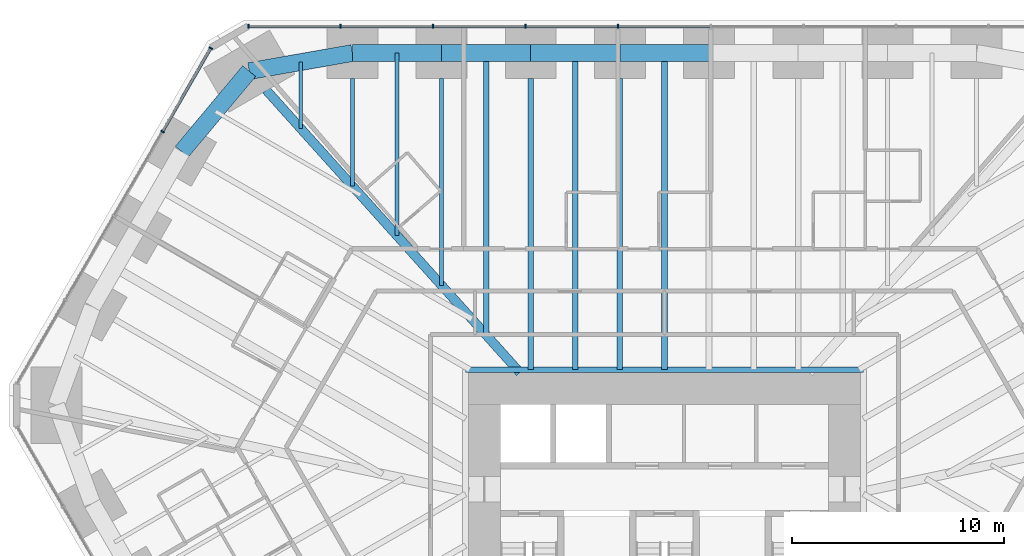
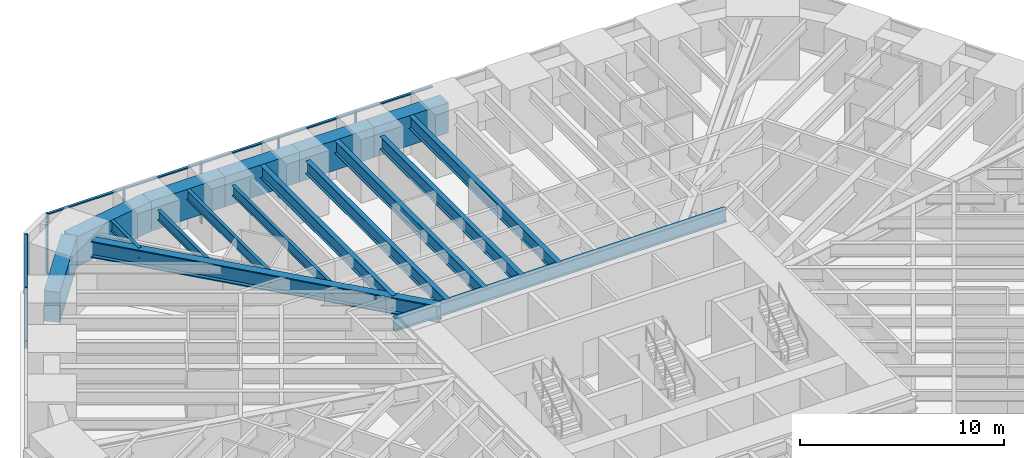
# One storey, part 8 of 17: 17 beams, 13 members, 2 elements without a shape of their own.
"""IFC4 building model written with IfcOpenShell, lengths in metres."""

from ifc_helpers import new_model, si_unit, direction, frame, origin, origin_2d, place, context, subcontext, project, spatial, rectangle, i_section, extrude, material, material_profile, profile_set, type_object, element, aggregate, save


model = new_model("IFC4")

# Units and contexts
model_context = context("Model", 3, precision=1e-05, world=origin(), true_north=direction((0.0, 1.0)))
body_context = subcontext(model_context, "Body", "Model", "MODEL_VIEW")
ifc_project = project(units=[si_unit("LENGTHUNIT", "METRE"), si_unit("AREAUNIT", "SQUARE_METRE"), si_unit("VOLUMEUNIT", "CUBIC_METRE"), si_unit("PLANEANGLEUNIT", "RADIAN"), si_unit("MASSUNIT", "GRAM", prefix="KILO")], contexts=[model_context])

# Site, building, storey
site_placement = place(None, origin())
site = spatial("IfcSite", under=ifc_project, at=site_placement, CompositionType="ELEMENT")
building_placement = place(site_placement, origin())
building = spatial("IfcBuilding", under=site, at=building_placement, Name="Sandreach Pilgrim Tower", CompositionType="ELEMENT")
storey_placement = place(building_placement, frame((0.0, 0.0, 26.800048828125)))
storey = spatial("IfcBuildingStorey", under=building, at=storey_placement, Name="L05", CompositionType="ELEMENT", Elevation=26.800048828125)

# Curtain wall, members
ifc_material_1 = material(Name="Aluminium framed curtain wall", Category="aluminium")
curtain_wall_type = type_object("IfcCurtainWallType", Name="Hostel tower curtain wall", PredefinedType="NOTDEFINED", material=ifc_material_1)
curtain_wall_1_placement = place(storey_placement, origin())
curtain_wall_1 = element("IfcCurtainWall", 1, at=curtain_wall_1_placement, inside=storey, type_object=curtain_wall_type, Name="CW-1 L05 N", PredefinedType="NOTDEFINED")
ifc_material_2 = material(Name="Aluminium extrusion", Category="aluminium")
ifc_material_profile_1 = material_profile(ifc_material_2, rectangle(XDim=0.06494140625, YDim=0.179931640625, at=origin_2d()), Name="CW-1M 65X180")
ifc_profile_set_1 = profile_set([ifc_material_profile_1], Name="Aluminium extrusion")
member_type_1 = type_object("IfcMemberType", Name="CW-1 mullion", PredefinedType="MULLION", material=ifc_profile_set_1)
member_1_placement = place(storey_placement, frame((-19.6396484375, 23.94873046875, 0.0), z_axis=(0.0, 0.0, 1.0), x_axis=(1.0, 0.0, 0.0)))
member_1 = element("IfcMember", 2, at=member_1_placement, type_object=member_type_1, Name="CW-1 mullion 1", PredefinedType="MULLION", context=body_context, shape_type="SweptSolid", body=[
    extrude(rectangle(XDim=0.06494140625, YDim=0.179931640625, at=origin_2d()), origin(), (0.0, 0.0, 1.0), 3.639892578125),
])
member_2_placement = place(storey_placement, frame((-15.300537109375, 23.94873046875, 0.0), z_axis=(0.0, 0.0, 1.0), x_axis=(1.0, 0.0, 0.0)))
member_2 = element("IfcMember", 3, at=member_2_placement, type_object=member_type_1, Name="CW-1 mullion 2", PredefinedType="MULLION", context=body_context, shape_type="SweptSolid", body=[
    extrude(rectangle(XDim=0.06494140625, YDim=0.179931640625, at=origin_2d()), origin(), (0.0, 0.0, 1.0), 3.639892578125),
])
member_3_placement = place(storey_placement, frame((-10.928955078125, 23.94873046875, 0.0), z_axis=(0.0, 0.0, 1.0), x_axis=(1.0, 0.0, 0.0)))
member_3 = element("IfcMember", 4, at=member_3_placement, type_object=member_type_1, Name="CW-1 mullion 3", PredefinedType="MULLION", context=body_context, shape_type="SweptSolid", body=[
    extrude(rectangle(XDim=0.06494140625, YDim=0.179931640625, at=origin_2d()), origin(), (0.0, 0.0, 1.0), 3.639892578125),
])
member_4_placement = place(storey_placement, frame((-6.557373046875, 23.94873046875, 0.0), z_axis=(0.0, 0.0, 1.0), x_axis=(1.0, 0.0, 0.0)))
member_4 = element("IfcMember", 5, at=member_4_placement, type_object=member_type_1, Name="CW-1 mullion 4", PredefinedType="MULLION", context=body_context, shape_type="SweptSolid", body=[
    extrude(rectangle(XDim=0.06494140625, YDim=0.179931640625, at=origin_2d()), origin(), (0.0, 0.0, 1.0), 3.639892578125),
])
member_5_placement = place(storey_placement, frame((-2.185791015625, 23.94873046875, 0.0), z_axis=(0.0, 0.0, 1.0), x_axis=(1.0, 0.0, 0.0)))
member_5 = element("IfcMember", 6, at=member_5_placement, type_object=member_type_1, Name="CW-1 mullion 5", PredefinedType="MULLION", context=body_context, shape_type="SweptSolid", body=[
    extrude(rectangle(XDim=0.06494140625, YDim=0.179931640625, at=origin_2d()), origin(), (0.0, 0.0, 1.0), 3.639892578125),
])

curtain_wall_2_placement = place(storey_placement, origin())
curtain_wall_2 = element("IfcCurtainWall", 7, at=curtain_wall_2_placement, inside=storey, type_object=curtain_wall_type, Name="CW-1 L05 NW", PredefinedType="NOTDEFINED")
member_6_placement = place(storey_placement, frame((-23.697265625, 18.97705078125, 0.0), z_axis=(0.0, 0.0, 1.0), x_axis=(0.5, 0.866025403784, 0.0)))
member_6 = element("IfcMember", 8, at=member_6_placement, type_object=member_type_1, Name="CW-1 mullion 4", PredefinedType="MULLION", context=body_context, shape_type="SweptSolid", body=[
    extrude(rectangle(XDim=0.06494140625, YDim=0.179931640625, at=origin_2d()), origin(), (0.0, 0.0, 1.0), 3.639892578125),
])
member_7_placement = place(storey_placement, frame((-21.42041015625, 22.920654296875, 0.0), z_axis=(0.0, 0.0, 1.0), x_axis=(0.5, 0.866025403784, 0.0)))
member_7 = element("IfcMember", 9, at=member_7_placement, type_object=member_type_1, Name="CW-1 mullion 5", PredefinedType="MULLION", context=body_context, shape_type="SweptSolid", body=[
    extrude(rectangle(XDim=0.06494140625, YDim=0.179931640625, at=origin_2d()), origin(), (0.0, 0.0, 1.0), 3.639892578125),
])

# Member
ifc_material_3 = material(Name="Aluminium extrusion", Category="aluminium")
ifc_material_profile_2 = material_profile(ifc_material_3, rectangle(XDim=0.139892578125, YDim=0.070068359375, at=origin_2d()), Name="CW-1T 140X70")
ifc_profile_set_2 = profile_set([ifc_material_profile_2], Name="Aluminium extrusion")
member_type_2 = type_object("IfcMemberType", Name="CW-1 transom", PredefinedType="USERDEFINED", material=ifc_profile_set_2)
member_8_placement = place(storey_placement, frame((-19.607177734375, 23.94873046875, 3.60498046875), z_axis=(1.0, 0.0, 0.0), x_axis=(0.0, 1.0, 0.0)))
member_8 = element("IfcMember", 10, at=member_8_placement, type_object=member_type_2, Name="CW-1 head transom 1", ObjectType="TRANSOM", PredefinedType="USERDEFINED", context=body_context, shape_type="SweptSolid", body=[
    extrude(rectangle(XDim=0.139892578125, YDim=0.070068359375, at=origin_2d()), origin(), (0.0, 0.0, 1.0), 4.274169921875),
])

member_9_placement = place(storey_placement, frame((-15.26806640625, 23.94873046875, 3.60498046875), z_axis=(1.0, 0.0, 0.0), x_axis=(0.0, 1.0, 0.0)))
member_9 = element("IfcMember", 11, at=member_9_placement, type_object=member_type_2, Name="CW-1 head transom 2", ObjectType="TRANSOM", PredefinedType="USERDEFINED", context=body_context, shape_type="SweptSolid", body=[
    extrude(rectangle(XDim=0.139892578125, YDim=0.070068359375, at=origin_2d()), origin(), (0.0, 0.0, 1.0), 4.306640625),
])

member_10_placement = place(storey_placement, frame((-10.896484375, 23.94873046875, 3.60498046875), z_axis=(1.0, 0.0, 0.0), x_axis=(0.0, 1.0, 0.0)))
member_10 = element("IfcMember", 12, at=member_10_placement, type_object=member_type_2, Name="CW-1 head transom 3", ObjectType="TRANSOM", PredefinedType="USERDEFINED", context=body_context, shape_type="SweptSolid", body=[
    extrude(rectangle(XDim=0.139892578125, YDim=0.070068359375, at=origin_2d()), origin(), (0.0, 0.0, 1.0), 4.306640625),
])

member_11_placement = place(storey_placement, frame((-6.52490234375, 23.94873046875, 3.60498046875), z_axis=(1.0, 0.0, 0.0), x_axis=(0.0, 1.0, 0.0)))
member_11 = element("IfcMember", 13, at=member_11_placement, type_object=member_type_2, Name="CW-1 head transom 4", ObjectType="TRANSOM", PredefinedType="USERDEFINED", context=body_context, shape_type="SweptSolid", body=[
    extrude(rectangle(XDim=0.139892578125, YDim=0.070068359375, at=origin_2d()), origin(), (0.0, 0.0, 1.0), 4.306640625),
])

member_12_placement = place(storey_placement, frame((-2.1533203125, 23.94873046875, 3.60498046875), z_axis=(1.0, 0.0, 0.0), x_axis=(0.0, 1.0, 0.0)))
member_12 = element("IfcMember", 14, at=member_12_placement, type_object=member_type_2, Name="CW-1 head transom 5", ObjectType="TRANSOM", PredefinedType="USERDEFINED", context=body_context, shape_type="SweptSolid", body=[
    extrude(rectangle(XDim=0.139892578125, YDim=0.070068359375, at=origin_2d()), origin(), (0.0, 0.0, 1.0), 4.306640625),
])

aggregate(curtain_wall_1, [member_1, member_2, member_3, member_4, member_5, member_8, member_9, member_10, member_11, member_12])

member_13_placement = place(storey_placement, frame((-23.680908203125, 19.005126953125, 3.60498046875), z_axis=(0.500017500808, 0.866015299452, 0.0), x_axis=(-0.866015299452, 0.500017500808, 0.0)))
member_13 = element("IfcMember", 15, at=member_13_placement, type_object=member_type_2, Name="CW-1 head transom 4", ObjectType="TRANSOM", PredefinedType="USERDEFINED", context=body_context, shape_type="SweptSolid", body=[
    extrude(rectangle(XDim=0.139892578125, YDim=0.070068359375, at=origin_2d()), origin(), (0.0, 0.0, 1.0), 4.488525390625),
])

aggregate(curtain_wall_2, [member_6, member_7, member_13])

# Beams
ifc_material_4 = material(Name="Steel ASTM A992 Grade 50", Category="steel")
ifc_material_profile_3 = material_profile(ifc_material_4, i_section(OverallWidth=0.2666015625, OverallDepth=0.77978515625, WebThickness=0.0166015625, FlangeThickness=0.030029296875, at=origin_2d()), Name="W30X148")
ifc_profile_set_3 = profile_set([ifc_material_profile_3], Name="Steel ASTM A992 Grade 50")
beam_type_1 = type_object("IfcBeamType", Name="Core edge beam W30X148", PredefinedType="BEAM", material=ifc_profile_set_3)
beam_1_placement = place(storey_placement, frame((-9.393310546875, 7.743408203125, 3.25), z_axis=(1.0, 0.0, 0.0), x_axis=(0.0, 1.0, 0.0)))
element("IfcBeam", 16, at=beam_1_placement, inside=storey, type_object=beam_type_1, Name="BM L05 CEN", PredefinedType="BEAM", context=body_context, shape_type="SweptSolid", body=[
    extrude(i_section(OverallWidth=0.2666015625, OverallDepth=0.77978515625, WebThickness=0.0166015625, FlangeThickness=0.030029296875, at=origin_2d()), origin(), (0.0, 0.0, 1.0), 18.78662109375),
])
ifc_material_5 = material(Name="Steel ASTM A992 Grade 50", Category="steel")
ifc_material_profile_4 = material_profile(ifc_material_5, i_section(OverallWidth=0.431884765625, OverallDepth=0.988037109375, WebThickness=0.034423828125, FlangeThickness=0.06201171875, at=origin_2d()), Name="W36X441")
ifc_profile_set_4 = profile_set([ifc_material_profile_4], Name="Steel ASTM A992 Grade 50")
beam_type_2 = type_object("IfcBeamType", Name="Corner girder W36X441", PredefinedType="BEAM", material=ifc_profile_set_4)
beam_2_placement = place(storey_placement, frame((-18.8046875, 20.94189453125, 3.14599609375), z_axis=(0.668127834846, -0.74404650144, 0.0), x_axis=(0.74404650144, 0.668127834846, 0.0)))
element("IfcBeam", 17, at=beam_2_placement, inside=storey, type_object=beam_type_2, Name="BM L05 CG39", PredefinedType="BEAM", context=body_context, shape_type="SweptSolid", body=[
    extrude(i_section(OverallWidth=0.431884765625, OverallDepth=0.988037109375, WebThickness=0.034423828125, FlangeThickness=0.06201171875, at=origin_2d()), origin(), (0.0, 0.0, 1.0), 17.931396484375),
])
ifc_material_6 = material(Name="Steel ASTM A992 Grade 50", Category="steel")
ifc_material_profile_5 = material_profile(ifc_material_6, i_section(OverallWidth=0.1787109375, OverallDepth=0.60205078125, WebThickness=0.010986328125, FlangeThickness=0.014892578125, at=origin_2d()), Name="W24X62")
ifc_profile_set_5 = profile_set([ifc_material_profile_5], Name="Steel ASTM A992 Grade 50")
beam_type_3 = type_object("IfcBeamType", Name="Floor beam W24X62", PredefinedType="BEAM", material=ifc_profile_set_5)
beam_3_placement = place(storey_placement, frame((-14.734619140625, 21.48876953125, 3.3388671875), z_axis=(0.0, -1.0, 0.0), x_axis=(1.0, 0.0, 0.0)))
element("IfcBeam", 18, at=beam_3_placement, inside=storey, type_object=beam_type_3, Name="BM L05 F01", PredefinedType="BEAM", context=body_context, shape_type="SweptSolid", body=[
    extrude(i_section(OverallWidth=0.1787109375, OverallDepth=0.60205078125, WebThickness=0.010986328125, FlangeThickness=0.014892578125, at=origin_2d()), origin(), (0.0, 0.0, 1.0), 5.079345703125),
])
beam_4_placement = place(storey_placement, frame((-10.52490234375, 21.48876953125, 3.3388671875), z_axis=(0.0, -1.0, 0.0), x_axis=(1.0, 0.0, 0.0)))
element("IfcBeam", 19, at=beam_4_placement, inside=storey, type_object=beam_type_3, Name="BM L05 F02", PredefinedType="BEAM", context=body_context, shape_type="SweptSolid", body=[
    extrude(i_section(OverallWidth=0.1787109375, OverallDepth=0.60205078125, WebThickness=0.010986328125, FlangeThickness=0.014892578125, at=origin_2d()), origin(), (0.0, 0.0, 1.0), 9.767822265625),
])
beam_5_placement = place(storey_placement, frame((-12.629638671875, 22.688720703125, 3.3388671875), z_axis=(0.0, -1.0, 0.0), x_axis=(1.0, 0.0, 0.0)))
element("IfcBeam", 20, at=beam_5_placement, inside=storey, type_object=beam_type_3, Name="BM L05 FM01", PredefinedType="BEAM", context=body_context, shape_type="SweptSolid", body=[
    extrude(i_section(OverallWidth=0.1787109375, OverallDepth=0.60205078125, WebThickness=0.010986328125, FlangeThickness=0.014892578125, at=origin_2d()), origin(), (0.0, 0.0, 1.0), 8.62353515625),
])
beam_6_placement = place(storey_placement, frame((-17.17041015625, 22.26171875, 3.3388671875), z_axis=(0.0, -1.0, 0.0), x_axis=(1.0, 0.0, 0.0)))
element("IfcBeam", 21, at=beam_6_placement, inside=storey, type_object=beam_type_3, Name="BM L05 FM39", PredefinedType="BEAM", context=body_context, shape_type="SweptSolid", body=[
    extrude(i_section(OverallWidth=0.1787109375, OverallDepth=0.60205078125, WebThickness=0.010986328125, FlangeThickness=0.014892578125, at=origin_2d()), origin(), (0.0, 0.0, 1.0), 3.1396484375),
])
ifc_material_7 = material(Name="Steel ASTM A992 Grade 50", Category="steel")
ifc_material_profile_6 = material_profile(ifc_material_7, i_section(OverallWidth=0.2666015625, OverallDepth=0.761962890625, WebThickness=0.014404296875, FlangeThickness=0.021484375, at=origin_2d()), Name="W30X116")
ifc_profile_set_6 = profile_set([ifc_material_profile_6], Name="Steel ASTM A992 Grade 50")
beam_type_4 = type_object("IfcBeamType", Name="Floor beam W30X116", PredefinedType="BEAM", material=ifc_profile_set_6)
for number, where, z_axis, x_axis, name in (
    (22, (-6.31494140625, 21.48876953125, 3.259033203125), (0.0, -1.0, 0.0), (1.0, 0.0, 0.0), "BM L05 F03"),
    (23, (-2.10498046875, 21.48876953125, 3.259033203125), (0.0, -1.0, 0.0), (1.0, 0.0, 0.0), "BM L05 F04"),
):
    element("IfcBeam", number, at=place(storey_placement, frame(where, z_axis=z_axis, x_axis=x_axis)), inside=storey, type_object=beam_type_4, Name=name, PredefinedType="BEAM", context=body_context, shape_type="SweptSolid", body=[
        extrude(i_section(OverallWidth=0.2666015625, OverallDepth=0.761962890625, WebThickness=0.014404296875, FlangeThickness=0.021484375, at=origin_2d()), origin(), (0.0, 0.0, 1.0), 13.745361328125),
    ])
beam_7_placement = place(storey_placement, frame((-8.419921875, 22.688720703125, 3.259033203125), z_axis=(0.0, -1.0, 0.0), x_axis=(1.0, 0.0, 0.0)))
element("IfcBeam", 24, at=beam_7_placement, inside=storey, type_object=beam_type_4, Name="BM L05 FM02", PredefinedType="BEAM", context=body_context, shape_type="SweptSolid", body=[
    extrude(i_section(OverallWidth=0.2666015625, OverallDepth=0.761962890625, WebThickness=0.014404296875, FlangeThickness=0.021484375, at=origin_2d()), origin(), (0.0, 0.0, 1.0), 13.311767578125),
])
for number, where, z_axis, x_axis, name in (
    (25, (-4.2099609375, 22.688720703125, 3.259033203125), (0.0, -1.0, 0.0), (1.0, 0.0, 0.0), "BM L05 FM03"),
    (26, (0.0, 22.688720703125, 3.259033203125), (0.0, -1.0, 0.0), (1.0, 0.0, 0.0), "BM L05 FM04"),
):
    element("IfcBeam", number, at=place(storey_placement, frame(where, z_axis=z_axis, x_axis=x_axis)), inside=storey, type_object=beam_type_4, Name=name, PredefinedType="BEAM", context=body_context, shape_type="SweptSolid", body=[
        extrude(i_section(OverallWidth=0.2666015625, OverallDepth=0.761962890625, WebThickness=0.014404296875, FlangeThickness=0.021484375, at=origin_2d()), origin(), (0.0, 0.0, 1.0), 14.9453125),
    ])
ifc_material_8 = material(Name="Concrete 10000 psi", Category="concrete")
ifc_material_profile_7 = material_profile(ifc_material_8, rectangle(XDim=0.800048828125, YDim=1.800048828125, at=origin_2d()), Name="RC800X1800")
ifc_profile_set_7 = profile_set([ifc_material_profile_7], Name="Concrete 10000 psi")
beam_type_5 = type_object("IfcBeamType", Name="Spandrel beam RC800X1800", PredefinedType="SPANDREL", material=ifc_profile_set_7)
beam_8_placement = place(storey_placement, frame((-14.734619140625, 22.688720703125, 2.739990234375), z_axis=(1.0, 0.0, 0.0), x_axis=(0.0, 1.0, 0.0)))
element("IfcBeam", 27, at=beam_8_placement, inside=storey, type_object=beam_type_5, Name="BM L05 SP01", PredefinedType="SPANDREL", context=body_context, shape_type="SweptSolid", body=[
    extrude(rectangle(XDim=0.800048828125, YDim=1.800048828125, at=origin_2d()), origin(), (0.0, 0.0, 1.0), 4.209716796875),
])
for number, where, z_axis, x_axis, name in (
    (28, (-10.52490234375, 22.688720703125, 2.739990234375), (1.0, 0.0, 0.0), (0.0, 1.0, 0.0), "BM L05 SP02"),
    (29, (-6.31494140625, 22.688720703125, 2.739990234375), (1.0, 0.0, 0.0), (0.0, 1.0, 0.0), "BM L05 SP03"),
    (30, (-2.10498046875, 22.688720703125, 2.739990234375), (1.0, 0.0, 0.0), (0.0, 1.0, 0.0), "BM L05 SP04"),
):
    element("IfcBeam", number, at=place(storey_placement, frame(where, z_axis=z_axis, x_axis=x_axis)), inside=storey, type_object=beam_type_5, Name=name, PredefinedType="SPANDREL", context=body_context, shape_type="SweptSolid", body=[
        extrude(rectangle(XDim=0.800048828125, YDim=1.800048828125, at=origin_2d()), origin(), (0.0, 0.0, 1.0), 4.2099609375),
    ])
beam_9_placement = place(storey_placement, frame((-22.787841796875, 18.031982421875, 2.739990234375), z_axis=(0.641665295114, 0.766984777584, 0.0), x_axis=(-0.766984777584, 0.641665295114, 0.0)))
element("IfcBeam", 31, at=beam_9_placement, inside=storey, type_object=beam_type_5, Name="BM L05 SP38", PredefinedType="SPANDREL", context=body_context, shape_type="SweptSolid", body=[
    extrude(rectangle(XDim=0.800048828125, YDim=1.800048828125, at=origin_2d()), origin(), (0.0, 0.0, 1.0), 4.9580078125),
])
beam_10_placement = place(storey_placement, frame((-19.6064453125, 21.834716796875, 2.739990234375), z_axis=(0.984981186582, 0.172661698355, 0.0), x_axis=(-0.172661698355, 0.984981186582, 0.0)))
element("IfcBeam", 32, at=beam_10_placement, inside=storey, type_object=beam_type_5, Name="BM L05 SP39", PredefinedType="SPANDREL", context=body_context, shape_type="SweptSolid", body=[
    extrude(rectangle(XDim=0.800048828125, YDim=1.800048828125, at=origin_2d()), origin(), (0.0, 0.0, 1.0), 4.946044921875),
])

save(model, "model.ifc")
